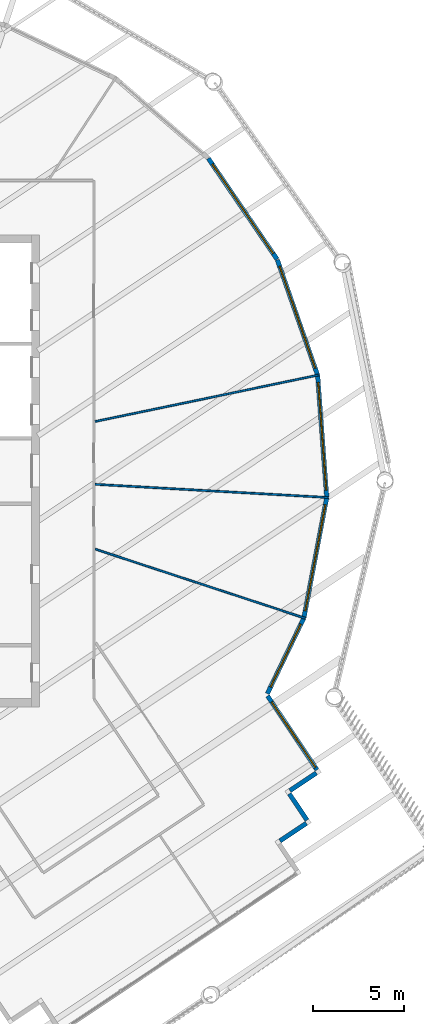
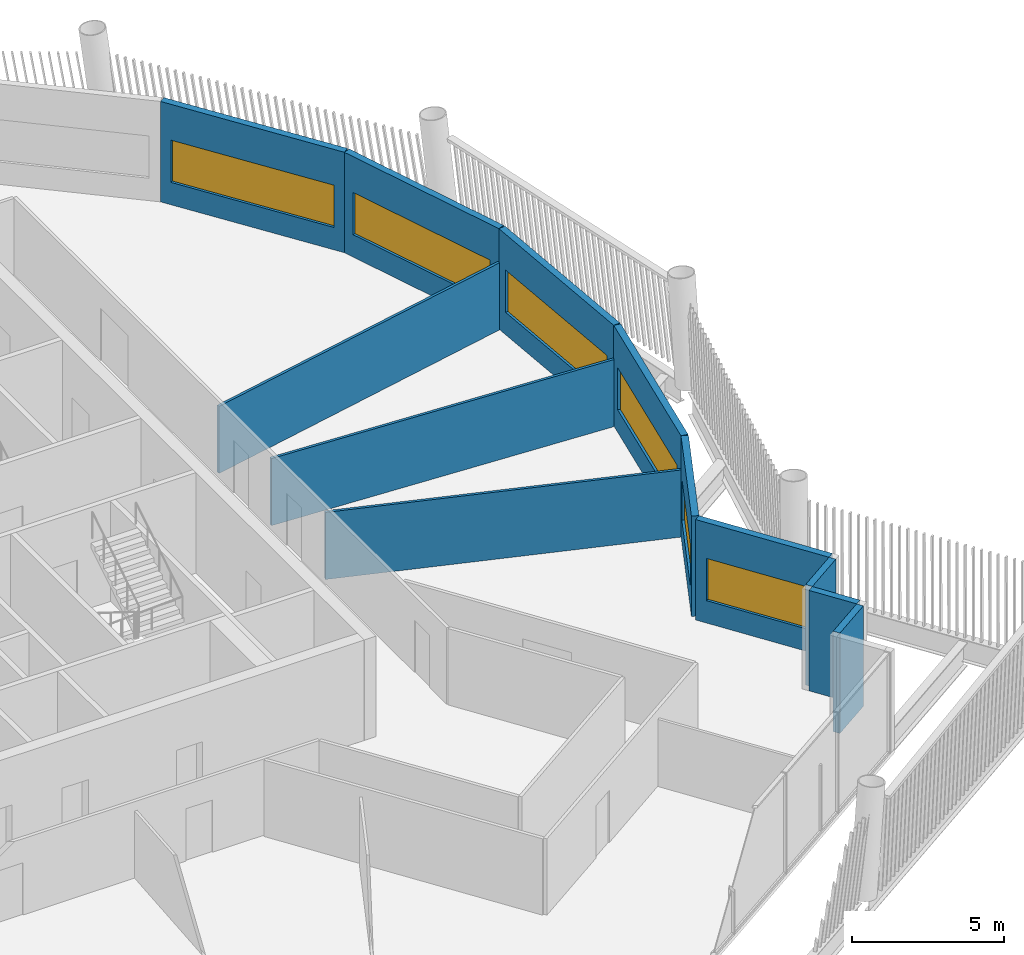
# One storey, part 20 of 28: 12 walls, 6 windows, 6 openings.
"""IFC4 building model written with IfcOpenShell, lengths in metres."""

from ifc_helpers import new_model, si_unit, direction, frame, frame_2d, origin, place, context, subcontext, project, spatial, rectangle, extrude, material, layer, layer_set, type_object, element, fill, save


model = new_model("IFC4")

# Units and contexts
model_context = context("Model", 3, precision=1e-05, world=origin(), true_north=direction((0.0, 1.0)))
body_context = subcontext(model_context, "Body", "Model", "MODEL_VIEW")
ifc_project = project(units=[si_unit("LENGTHUNIT", "METRE"), si_unit("AREAUNIT", "SQUARE_METRE"), si_unit("VOLUMEUNIT", "CUBIC_METRE"), si_unit("PLANEANGLEUNIT", "RADIAN"), si_unit("MASSUNIT", "GRAM", prefix="KILO")], contexts=[model_context])

# Site, building, storey
site_placement = place(None, origin())
site = spatial("IfcSite", under=ifc_project, at=site_placement, CompositionType="ELEMENT")
building_placement = place(site_placement, origin())
building = spatial("IfcBuilding", under=site, at=building_placement, Name="Tarsis Ring Headquarters", CompositionType="ELEMENT")
storey_placement = place(building_placement, frame((0.0, 0.0, 365.0)))
storey = spatial("IfcBuildingStorey", under=building, at=storey_placement, Name="L86", CompositionType="ELEMENT", Elevation=365.0)

# Walls
ifc_material_1 = material(Name="Gypsum board on steel studs", Category="steel")
ifc_layer_1 = layer(ifc_material_1, 0.10009765625)
ifc_layer_set_1 = layer_set([ifc_layer_1], Name="FL partition 100 unrated")
wall_type_1 = type_object("IfcWallType", Name="FL partition 100 unrated", PredefinedType="PARTITIONING", material=ifc_layer_set_1)
wall_1_placement = place(storey_placement, frame((13.06982421875, -0.739990234375, 0.0), z_axis=(0.0, 0.0, 1.0), x_axis=(0.998402027663, -0.05651009784, 0.0)))
element("IfcWall", 1, at=wall_1_placement, inside=storey, type_object=wall_type_1, Name="Partition PW3", PredefinedType="PARTITIONING", context=body_context, shape_type="SweptSolid", body=[
    extrude(rectangle(XDim=12.857177734375, YDim=0.10009765625, at=frame_2d((6.4287109375, 0.0))), origin(), (0.0, 0.0, 1.0), 2.699951171875),
])
wall_2_placement = place(storey_placement, frame((13.068603515625, 2.720703125, 0.0), z_axis=(0.0, 0.0, 1.0), x_axis=(0.979009911029, 0.203812644621, 0.0)))
element("IfcWall", 2, at=wall_2_placement, inside=storey, type_object=wall_type_1, Name="Partition PW3", PredefinedType="PARTITIONING", context=body_context, shape_type="SweptSolid", body=[
    extrude(rectangle(XDim=12.59912109375, YDim=0.10009765625, at=frame_2d((6.299560546875, 0.0))), origin(), (0.0, 0.0, 1.0), 2.699951171875),
])
wall_3_placement = place(storey_placement, frame((13.075927734375, -4.309326171875, 0.0), z_axis=(0.0, 0.0, 1.0), x_axis=(0.94975616194, -0.312990787175, 0.0)))
element("IfcWall", 3, at=wall_3_placement, inside=storey, type_object=wall_type_1, Name="Partition PW3", PredefinedType="PARTITIONING", context=body_context, shape_type="SweptSolid", body=[
    extrude(rectangle(XDim=12.18017578125, YDim=0.10009765625, at=frame_2d((6.090087890625, 0.0))), origin(), (0.0, 0.0, 1.0), 2.699951171875),
])
ifc_material_2 = material(Name="Terracotta clad insulated panel wall", Category="masonry")
ifc_layer_2 = layer(ifc_material_2, 0.25)
ifc_layer_set_2 = layer_set([ifc_layer_2], Name="Facade wall terracotta panel 250")
wall_type_2 = type_object("IfcWallType", Name="Facade wall terracotta panel 250", PredefinedType="STANDARD", material=ifc_layer_set_2)
for number, where, z_axis, x_axis, name in (
    (4, (23.2529296875, -20.3916015625, 0.0), (0.0, 0.0, 1.0), (0.831319847506, 0.555794306505, 0.0), "External wall L86-13"),
    (5, (24.742431640625, -19.24560546875, 0.0), (0.0, 0.0, 1.0), (-0.555794306505, 0.831319847506, 0.0), "External wall L86-14"),
):
    element("IfcWall", number, at=place(storey_placement, frame(where, z_axis=z_axis, x_axis=x_axis)), inside=storey, type_object=wall_type_2, Name=name, PredefinedType="STANDARD", context=body_context, shape_type="SweptSolid", body=[
        extrude(rectangle(XDim=1.75, YDim=0.25, at=frame_2d((0.875, 0.0))), origin(), (0.0, 0.0, 1.0), 4.0400390625),
    ])
wall_4_placement = place(storey_placement, frame((23.80419921875, -17.617431640625, 0.0), z_axis=(0.0, 0.0, 1.0), x_axis=(0.831362934619, 0.555729854283, 0.0)))
element("IfcWall", 6, at=wall_4_placement, inside=storey, type_object=wall_type_2, Name="External wall L86-15", PredefinedType="STANDARD", context=body_context, shape_type="SweptSolid", body=[
    extrude(rectangle(XDim=1.750244140625, YDim=0.25, at=frame_2d((0.875, 0.0))), origin(), (0.0, 0.0, 1.0), 4.0400390625),
])

# Wall, opening, window
wall_5_placement = place(storey_placement, frame((25.293701171875, -16.471435546875, 0.0), z_axis=(0.0, 0.0, 1.0), x_axis=(-0.555745797285, 0.831352277197, 0.0)))
wall_5 = element("IfcWall", 7, at=wall_5_placement, inside=storey, type_object=wall_type_2, Name="External wall L86-16", PredefinedType="STANDARD", context=body_context, shape_type="SweptSolid", body=[
    extrude(rectangle(XDim=4.9013671875, YDim=0.25, at=frame_2d((2.45068359375, 0.0))), origin(), (0.0, 0.0, 1.0), 4.0400390625),
])
opening_1_placement = place(wall_5_placement, frame((0.150634765625, 0.0, 0.89990234375)))
opening_1 = element("IfcOpeningElement", 8, at=opening_1_placement, cuts=wall_5, Name="Opening WN03", PredefinedType="OPENING", context=body_context, shape_type="SweptSolid", body=[
    extrude(rectangle(XDim=4.35009765625, YDim=1.699951171875, at=frame_2d((2.175048828125, 0.85009765625))), frame((0.0, 0.135009765625, 0.0), z_axis=(0.0, -1.0, 0.0), x_axis=(1.0, 0.0, 0.0)), (0.0, 0.0, 1.0), 0.27001953125),
])
ifc_material_3 = material(Name="Aluminium framed double glazing", Category="aluminium")
window_type_1 = type_object("IfcWindowType", Name="Facade window 4350 x 1700", PartitioningType="SINGLE_PANEL", PredefinedType="WINDOW", material=ifc_material_3)
window_1_placement = place(opening_1_placement, origin())
window_1 = element("IfcWindow", 9, at=window_1_placement, inside=storey, type_object=window_type_1, Name="Window L86-16.1", OverallHeight=1.699951171875, OverallWidth=4.35009765625, PartitioningType="SINGLE_PANEL", PredefinedType="WINDOW", context=body_context, shape_type="SweptSolid", body=[
    extrude(rectangle(XDim=4.35009765625, YDim=1.699951171875, at=frame_2d((2.175048828125, 0.85009765625))), frame((0.0, 0.030029296875, 0.0), z_axis=(0.0, -1.0, 0.0), x_axis=(1.0, 0.0, 0.0)), (0.0, 0.0, 1.0), 0.06005859375),
])
fill(opening_1, window_1)

wall_6_placement = place(storey_placement, frame((22.561279296875, -12.27294921875, 0.0), z_axis=(0.0, 0.0, 1.0), x_axis=(0.434267012501, 0.900784192719, 0.0)))
wall_6 = element("IfcWall", 10, at=wall_6_placement, inside=storey, type_object=wall_type_2, Name="External wall L86-17", PredefinedType="STANDARD", context=body_context, shape_type="SweptSolid", body=[
    extrude(rectangle(XDim=4.617919921875, YDim=0.25, at=frame_2d((2.30908203125, 0.0))), origin(), (0.0, 0.0, 1.0), 4.0400390625),
])
opening_2_placement = place(wall_6_placement, frame((0.400390625, 0.0, 0.89990234375)))
opening_2 = element("IfcOpeningElement", 11, at=opening_2_placement, cuts=wall_6, Name="Opening WN02", PredefinedType="OPENING", context=body_context, shape_type="SweptSolid", body=[
    extrude(rectangle(XDim=3.85009765625, YDim=1.699951171875, at=frame_2d((1.925048828125, 0.85009765625))), frame((0.0, 0.135009765625, 0.0), z_axis=(0.0, -1.0, 0.0), x_axis=(1.0, 0.0, 0.0)), (0.0, 0.0, 1.0), 0.27001953125),
])
window_type_2 = type_object("IfcWindowType", Name="Facade window 3850 x 1700", PartitioningType="SINGLE_PANEL", PredefinedType="WINDOW", material=ifc_material_3)
window_2_placement = place(opening_2_placement, origin())
window_2 = element("IfcWindow", 12, at=window_2_placement, inside=storey, type_object=window_type_2, Name="Window L86-17.1", OverallHeight=1.699951171875, OverallWidth=3.85009765625, PartitioningType="SINGLE_PANEL", PredefinedType="WINDOW", context=body_context, shape_type="SweptSolid", body=[
    extrude(rectangle(XDim=3.85009765625, YDim=1.699951171875, at=frame_2d((1.925048828125, 0.85009765625))), frame((0.0, 0.030029296875, 0.0), z_axis=(0.0, -1.0, 0.0), x_axis=(1.0, 0.0, 0.0)), (0.0, 0.0, 1.0), 0.06005859375),
])
fill(opening_2, window_2)

wall_7_placement = place(storey_placement, frame((24.576904296875, -8.082275390625, 0.0), z_axis=(0.0, 0.0, 1.0), x_axis=(0.186369316646, 0.982479759493, 0.0)))
wall_7 = element("IfcWall", 13, at=wall_7_placement, inside=storey, type_object=wall_type_2, Name="External wall L86-18", PredefinedType="STANDARD", context=body_context, shape_type="SweptSolid", body=[
    extrude(rectangle(XDim=6.721435546875, YDim=0.25, at=frame_2d((3.36083984375, 0.0))), origin(), (0.0, 0.0, 1.0), 4.0400390625),
])
opening_3_placement = place(wall_7_placement, frame((0.3857421875, 0.0, 0.89990234375)))
opening_3 = element("IfcOpeningElement", 14, at=opening_3_placement, cuts=wall_7, Name="Opening WN07", PredefinedType="OPENING", context=body_context, shape_type="SweptSolid", body=[
    extrude(rectangle(XDim=5.949951171875, YDim=1.699951171875, at=frame_2d((2.97509765625, 0.85009765625))), frame((0.0, 0.135009765625, 0.0), z_axis=(0.0, -1.0, 0.0), x_axis=(1.0, 0.0, 0.0)), (0.0, 0.0, 1.0), 0.27001953125),
])
window_type_3 = type_object("IfcWindowType", Name="Facade window 5950 x 1700", PartitioningType="SINGLE_PANEL", PredefinedType="WINDOW", material=ifc_material_3)
window_3_placement = place(opening_3_placement, origin())
window_3 = element("IfcWindow", 15, at=window_3_placement, inside=storey, type_object=window_type_3, Name="Window L86-18.1", OverallHeight=1.699951171875, OverallWidth=5.949951171875, PartitioningType="SINGLE_PANEL", PredefinedType="WINDOW", context=body_context, shape_type="SweptSolid", body=[
    extrude(rectangle(XDim=5.949951171875, YDim=1.699951171875, at=frame_2d((2.97509765625, 0.85009765625))), frame((0.0, 0.030029296875, 0.0), z_axis=(0.0, -1.0, 0.0), x_axis=(1.0, 0.0, 0.0)), (0.0, 0.0, 1.0), 0.06005859375),
])
fill(opening_3, window_3)

wall_8_placement = place(storey_placement, frame((25.831298828125, -1.446044921875, 0.0), z_axis=(0.0, 0.0, 1.0), x_axis=(-0.07427706081, 0.997237643813, 0.0)))
wall_8 = element("IfcWall", 16, at=wall_8_placement, inside=storey, type_object=wall_type_2, Name="External wall L86-19", PredefinedType="STANDARD", context=body_context, shape_type="SweptSolid", body=[
    extrude(rectangle(XDim=6.7216796875, YDim=0.25, at=frame_2d((3.36083984375, 0.0))), origin(), (0.0, 0.0, 1.0), 4.0400390625),
])
opening_4_placement = place(wall_8_placement, frame((0.3857421875, 0.0, 0.89990234375)))
opening_4 = element("IfcOpeningElement", 17, at=opening_4_placement, cuts=wall_8, Name="Opening WN07", PredefinedType="OPENING", context=body_context, shape_type="SweptSolid", body=[
    extrude(rectangle(XDim=5.949951171875, YDim=1.699951171875, at=frame_2d((2.97509765625, 0.85009765625))), frame((0.0, 0.135009765625, 0.0), z_axis=(0.0, -1.0, 0.0), x_axis=(1.0, 0.0, 0.0)), (0.0, 0.0, 1.0), 0.27001953125),
])
window_4_placement = place(opening_4_placement, origin())
window_4 = element("IfcWindow", 18, at=window_4_placement, inside=storey, type_object=window_type_3, Name="Window L86-19.1", OverallHeight=1.699951171875, OverallWidth=5.949951171875, PartitioningType="SINGLE_PANEL", PredefinedType="WINDOW", context=body_context, shape_type="SweptSolid", body=[
    extrude(rectangle(XDim=5.949951171875, YDim=1.699951171875, at=frame_2d((2.97509765625, 0.85009765625))), frame((0.0, 0.030029296875, 0.0), z_axis=(0.0, -1.0, 0.0), x_axis=(1.0, 0.0, 0.0)), (0.0, 0.0, 1.0), 0.06005859375),
])
fill(opening_4, window_4)

wall_9_placement = place(storey_placement, frame((25.325439453125, 5.2890625, 0.0), z_axis=(0.0, 0.0, 1.0), x_axis=(-0.329881184238, 0.94402245963, 0.0)))
wall_9 = element("IfcWall", 19, at=wall_9_placement, inside=storey, type_object=wall_type_2, Name="External wall L86-20", PredefinedType="STANDARD", context=body_context, shape_type="SweptSolid", body=[
    extrude(rectangle(XDim=6.721435546875, YDim=0.25, at=frame_2d((3.36083984375, 0.0))), origin(), (0.0, 0.0, 1.0), 4.0400390625),
])
opening_5_placement = place(wall_9_placement, frame((0.3857421875, 0.0, 0.89990234375)))
opening_5 = element("IfcOpeningElement", 20, at=opening_5_placement, cuts=wall_9, Name="Opening WN07", PredefinedType="OPENING", context=body_context, shape_type="SweptSolid", body=[
    extrude(rectangle(XDim=5.949951171875, YDim=1.699951171875, at=frame_2d((2.97509765625, 0.85009765625))), frame((0.0, 0.135009765625, 0.0), z_axis=(0.0, -1.0, 0.0), x_axis=(1.0, 0.0, 0.0)), (0.0, 0.0, 1.0), 0.27001953125),
])
window_5_placement = place(opening_5_placement, origin())
window_5 = element("IfcWindow", 21, at=window_5_placement, inside=storey, type_object=window_type_3, Name="Window L86-20.1", OverallHeight=1.699951171875, OverallWidth=5.949951171875, PartitioningType="SINGLE_PANEL", PredefinedType="WINDOW", context=body_context, shape_type="SweptSolid", body=[
    extrude(rectangle(XDim=5.949951171875, YDim=1.699951171875, at=frame_2d((2.97509765625, 0.85009765625))), frame((0.0, 0.030029296875, 0.0), z_axis=(0.0, -1.0, 0.0), x_axis=(1.0, 0.0, 0.0)), (0.0, 0.0, 1.0), 0.06005859375),
])
fill(opening_5, window_5)

wall_10_placement = place(storey_placement, frame((23.093505859375, 11.663330078125, 0.0), z_axis=(0.0, 0.0, 1.0), x_axis=(-0.56294567872, 0.826493897624, 0.0)))
wall_10 = element("IfcWall", 22, at=wall_10_placement, inside=storey, type_object=wall_type_2, Name="External wall L86-21", PredefinedType="STANDARD", context=body_context, shape_type="SweptSolid", body=[
    extrude(rectangle(XDim=6.7216796875, YDim=0.25, at=frame_2d((3.36083984375, 0.0))), origin(), (0.0, 0.0, 1.0), 4.0400390625),
])
opening_6_placement = place(wall_10_placement, frame((0.3857421875, 0.0, 0.89990234375)))
opening_6 = element("IfcOpeningElement", 23, at=opening_6_placement, cuts=wall_10, Name="Opening WN07", PredefinedType="OPENING", context=body_context, shape_type="SweptSolid", body=[
    extrude(rectangle(XDim=5.949951171875, YDim=1.699951171875, at=frame_2d((2.97509765625, 0.85009765625))), frame((0.0, 0.135009765625, 0.0), z_axis=(0.0, -1.0, 0.0), x_axis=(1.0, 0.0, 0.0)), (0.0, 0.0, 1.0), 0.27001953125),
])
window_6_placement = place(opening_6_placement, origin())
window_6 = element("IfcWindow", 24, at=window_6_placement, inside=storey, type_object=window_type_3, Name="Window L86-21.1", OverallHeight=1.699951171875, OverallWidth=5.949951171875, PartitioningType="SINGLE_PANEL", PredefinedType="WINDOW", context=body_context, shape_type="SweptSolid", body=[
    extrude(rectangle(XDim=5.949951171875, YDim=1.699951171875, at=frame_2d((2.97509765625, 0.85009765625))), frame((0.0, 0.030029296875, 0.0), z_axis=(0.0, -1.0, 0.0), x_axis=(1.0, 0.0, 0.0)), (0.0, 0.0, 1.0), 0.06005859375),
])
fill(opening_6, window_6)

save(model, "model.ifc")
